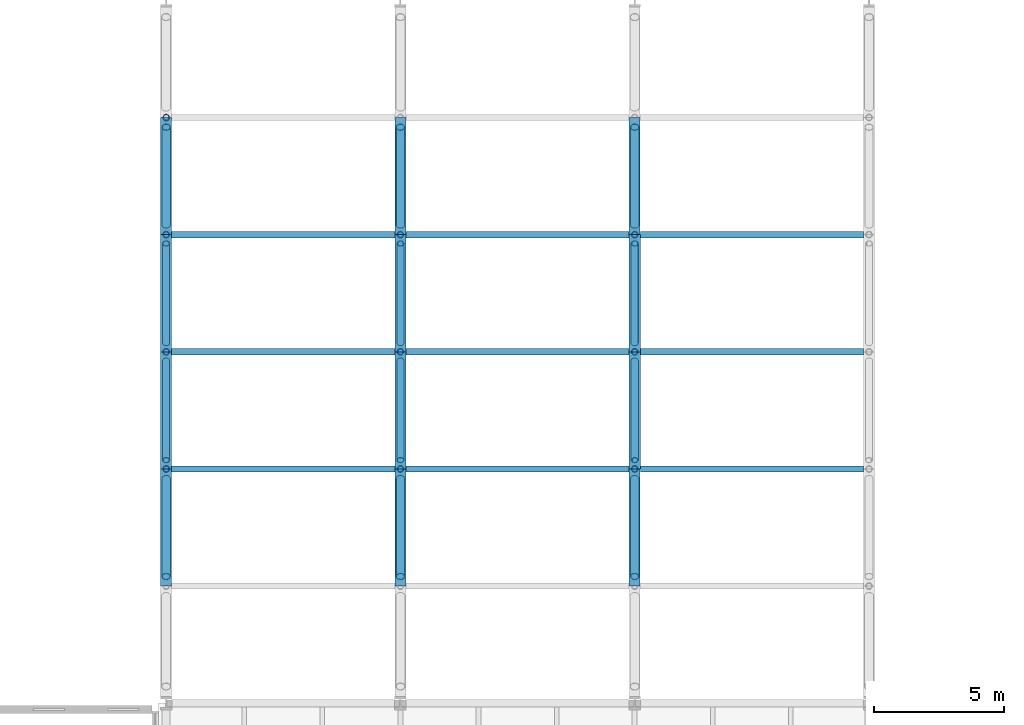
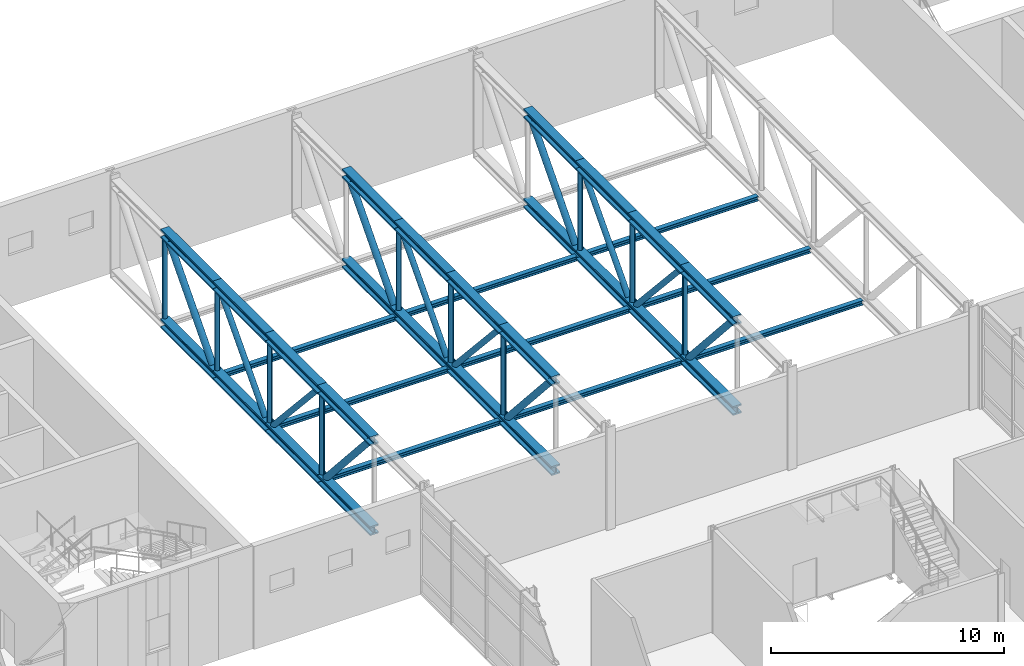
# One storey, part 21 of 53: 33 beams, 22 members.
"""IFC4 building model written with IfcOpenShell, lengths in metres."""

from ifc_helpers import new_model, si_unit, direction, frame, origin, origin_2d, place, context, subcontext, project, spatial, hollow_circle, i_section, extrude, material, material_profile, profile_set, type_object, element, save


model = new_model("IFC4")

# Units and contexts
model_context = context("Model", 3, precision=1e-05, world=origin(), true_north=direction((0.0, 1.0)))
body_context = subcontext(model_context, "Body", "Model", "MODEL_VIEW")
ifc_project = project(units=[si_unit("LENGTHUNIT", "METRE"), si_unit("AREAUNIT", "SQUARE_METRE"), si_unit("VOLUMEUNIT", "CUBIC_METRE"), si_unit("PLANEANGLEUNIT", "RADIAN"), si_unit("MASSUNIT", "GRAM", prefix="KILO")], contexts=[model_context])

# Site, building, storey
site_placement = place(None, origin())
site = spatial("IfcSite", under=ifc_project, at=site_placement, CompositionType="ELEMENT")
building_placement = place(site_placement, origin())
building = spatial("IfcBuilding", under=site, at=building_placement, Name="Azimuth Sports and Learning Centre", CompositionType="ELEMENT")
storey_placement = place(building_placement, frame((0.0, 0.0, 10.800048828125)))
storey = spatial("IfcBuildingStorey", under=building, at=storey_placement, Name="L02", CompositionType="ELEMENT", Elevation=10.800048828125)

# Beams
ifc_material_1 = material(Name="Steel S355", Category="steel")
ifc_material_profile_1 = material_profile(ifc_material_1, i_section(OverallWidth=0.239990234375, OverallDepth=0.239990234375, WebThickness=0.010009765625, FlangeThickness=0.01708984375, FilletRadius=0.02099609375, at=origin_2d()), Name="HEB 240")
ifc_profile_set_1 = profile_set([ifc_material_profile_1], Name="Steel S355")
beam_type_1 = type_object("IfcBeamType", Name="Beam HEB 240", PredefinedType="BEAM", material=ifc_profile_set_1)
for number, where, z_axis, x_axis, name in (
    (1, (72.214111328125, 99.0, 0.119873046875), (1.0, 0.0, 0.0), (0.0, 1.0, 0.0), "Floor truss bracing strut 4"),
    (2, (81.214111328125, 99.0, 0.119873046875), (1.0, 0.0, 0.0), (0.0, 1.0, 0.0), "Floor truss bracing strut 5"),
    (3, (90.214111328125, 99.0, 0.119873046875), (1.0, 0.0, 0.0), (0.0, 1.0, 0.0), "Floor truss bracing strut 6"),
    (4, (72.214111328125, 103.5, 0.119873046875), (1.0, 0.0, 0.0), (0.0, 1.0, 0.0), "Floor truss bracing strut 7"),
    (5, (81.214111328125, 103.5, 0.119873046875), (1.0, 0.0, 0.0), (0.0, 1.0, 0.0), "Floor truss bracing strut 8"),
    (6, (90.214111328125, 103.5, 0.119873046875), (1.0, 0.0, 0.0), (0.0, 1.0, 0.0), "Floor truss bracing strut 9"),
    (7, (72.214111328125, 108.0, 0.119873046875), (1.0, 0.0, 0.0), (0.0, 1.0, 0.0), "Floor truss bracing strut 10"),
    (8, (81.214111328125, 108.0, 0.119873046875), (1.0, 0.0, 0.0), (0.0, 1.0, 0.0), "Floor truss bracing strut 11"),
    (9, (90.214111328125, 108.0, 0.119873046875), (1.0, 0.0, 0.0), (0.0, 1.0, 0.0), "Floor truss bracing strut 12"),
):
    element("IfcBeam", number, at=place(storey_placement, frame(where, z_axis=z_axis, x_axis=x_axis)), inside=storey, type_object=beam_type_1, Name=name, PredefinedType="BEAM", context=body_context, shape_type="SweptSolid", body=[
        extrude(i_section(OverallWidth=0.239990234375, OverallDepth=0.239990234375, WebThickness=0.010009765625, FlangeThickness=0.01708984375, FilletRadius=0.02099609375, at=origin_2d()), origin(), (0.0, 0.0, 1.0), 8.57177734375),
    ])
ifc_material_2 = material(Name="Steel S460", Category="steel")
ifc_material_profile_2 = material_profile(ifc_material_2, i_section(OverallWidth=0.424072265625, OverallDepth=0.47412109375, WebThickness=0.047607421875, FlangeThickness=0.0771484375, FilletRadius=0.014892578125, at=origin_2d()), Name="HD 400x634")
ifc_profile_set_2 = profile_set([ifc_material_profile_2], Name="Steel S460")
beam_type_2 = type_object("IfcBeamType", Name="Truss chord HD 400x634", PredefinedType="USERDEFINED", material=ifc_profile_set_2)
for number, where, z_axis, x_axis, name in (
    (10, (72.0, 94.5, 4.94287109375), (0.0, 1.0, 0.0), (-1.0, 0.0, 0.0), "Floor truss FT-1 top chord 2"),
    (11, (72.0, 94.5, 0.237060546875), (0.0, 1.0, 0.0), (-1.0, 0.0, 0.0), "Floor truss FT-1 bottom chord 2"),
    (12, (72.0, 108.0, 4.94287109375), (0.0, 1.0, 0.0), (-1.0, 0.0, 0.0), "Floor truss FT-1 top chord 5"),
    (13, (72.0, 108.0, 0.237060546875), (0.0, 1.0, 0.0), (-1.0, 0.0, 0.0), "Floor truss FT-1 bottom chord 5"),
    (14, (81.0, 94.5, 4.94287109375), (0.0, 1.0, 0.0), (-1.0, 0.0, 0.0), "Floor truss FT-2 top chord 2"),
    (15, (81.0, 94.5, 0.237060546875), (0.0, 1.0, 0.0), (-1.0, 0.0, 0.0), "Floor truss FT-2 bottom chord 2"),
    (16, (81.0, 108.0, 4.94287109375), (0.0, 1.0, 0.0), (-1.0, 0.0, 0.0), "Floor truss FT-2 top chord 5"),
    (17, (81.0, 108.0, 0.237060546875), (0.0, 1.0, 0.0), (-1.0, 0.0, 0.0), "Floor truss FT-2 bottom chord 5"),
    (18, (90.0, 94.5, 4.94287109375), (0.0, 1.0, 0.0), (-1.0, 0.0, 0.0), "Floor truss FT-3 top chord 2"),
    (19, (90.0, 94.5, 0.237060546875), (0.0, 1.0, 0.0), (-1.0, 0.0, 0.0), "Floor truss FT-3 bottom chord 2"),
    (20, (90.0, 108.0, 4.94287109375), (0.0, 1.0, 0.0), (-1.0, 0.0, 0.0), "Floor truss FT-3 top chord 5"),
    (21, (90.0, 108.0, 0.237060546875), (0.0, 1.0, 0.0), (-1.0, 0.0, 0.0), "Floor truss FT-3 bottom chord 5"),
):
    element("IfcBeam", number, at=place(storey_placement, frame(where, z_axis=z_axis, x_axis=x_axis)), inside=storey, type_object=beam_type_2, Name=name, ObjectType="TRUSS CHORD", PredefinedType="USERDEFINED", context=body_context, shape_type="SweptSolid", body=[
        extrude(i_section(OverallWidth=0.424072265625, OverallDepth=0.47412109375, WebThickness=0.047607421875, FlangeThickness=0.0771484375, FilletRadius=0.014892578125, at=origin_2d()), origin(), (0.0, 0.0, 1.0), 4.5),
    ])
ifc_material_3 = material(Name="Steel S460", Category="steel")
ifc_material_profile_3 = material_profile(ifc_material_3, i_section(OverallWidth=0.427978515625, OverallDepth=0.48291015625, WebThickness=0.05126953125, FlangeThickness=0.08154296875, FilletRadius=0.014892578125, at=origin_2d()), Name="HD 400x677")
ifc_profile_set_3 = profile_set([ifc_material_profile_3], Name="Steel S460")
beam_type_3 = type_object("IfcBeamType", Name="Truss chord HD 400x677", PredefinedType="USERDEFINED", material=ifc_profile_set_3)
for number, where, z_axis, x_axis, name in (
    (22, (72.0, 99.0, 4.9384765625), (0.0, 1.0, 0.0), (-1.0, 0.0, 0.0), "Floor truss FT-1 top chord 3"),
    (23, (72.0, 99.0, 0.241455078125), (0.0, 1.0, 0.0), (-1.0, 0.0, 0.0), "Floor truss FT-1 bottom chord 3"),
    (24, (72.0, 103.5, 4.9384765625), (0.0, 1.0, 0.0), (-1.0, 0.0, 0.0), "Floor truss FT-1 top chord 4"),
    (25, (72.0, 103.5, 0.241455078125), (0.0, 1.0, 0.0), (-1.0, 0.0, 0.0), "Floor truss FT-1 bottom chord 4"),
    (26, (81.0, 99.0, 4.9384765625), (0.0, 1.0, 0.0), (-1.0, 0.0, 0.0), "Floor truss FT-2 top chord 3"),
    (27, (81.0, 99.0, 0.241455078125), (0.0, 1.0, 0.0), (-1.0, 0.0, 0.0), "Floor truss FT-2 bottom chord 3"),
    (28, (81.0, 103.5, 4.9384765625), (0.0, 1.0, 0.0), (-1.0, 0.0, 0.0), "Floor truss FT-2 top chord 4"),
    (29, (81.0, 103.5, 0.241455078125), (0.0, 1.0, 0.0), (-1.0, 0.0, 0.0), "Floor truss FT-2 bottom chord 4"),
    (30, (90.0, 99.0, 4.9384765625), (0.0, 1.0, 0.0), (-1.0, 0.0, 0.0), "Floor truss FT-3 top chord 3"),
    (31, (90.0, 99.0, 0.241455078125), (0.0, 1.0, 0.0), (-1.0, 0.0, 0.0), "Floor truss FT-3 bottom chord 3"),
    (32, (90.0, 103.5, 4.9384765625), (0.0, 1.0, 0.0), (-1.0, 0.0, 0.0), "Floor truss FT-3 top chord 4"),
    (33, (90.0, 103.5, 0.241455078125), (0.0, 1.0, 0.0), (-1.0, 0.0, 0.0), "Floor truss FT-3 bottom chord 4"),
):
    element("IfcBeam", number, at=place(storey_placement, frame(where, z_axis=z_axis, x_axis=x_axis)), inside=storey, type_object=beam_type_3, Name=name, ObjectType="TRUSS CHORD", PredefinedType="USERDEFINED", context=body_context, shape_type="SweptSolid", body=[
        extrude(i_section(OverallWidth=0.427978515625, OverallDepth=0.48291015625, WebThickness=0.05126953125, FlangeThickness=0.08154296875, FilletRadius=0.014892578125, at=origin_2d()), origin(), (0.0, 0.0, 1.0), 4.5),
    ])

# Members
ifc_material_4 = material(Name="Steel S355", Category="steel")
ifc_material_profile_4 = material_profile(ifc_material_4, hollow_circle(Radius=0.136474609375, WallThickness=0.012451171875, at=origin_2d()), Name="CHS 273x12.5")
ifc_profile_set_4 = profile_set([ifc_material_profile_4], Name="Steel S355")
member_type_1 = type_object("IfcMemberType", Name="Truss diagonal CHS 273x12.5", PredefinedType="BRACE", material=ifc_profile_set_4)
for number, where, z_axis, x_axis, name in (
    (34, (72.0, 99.339111328125, 4.697021484375), (0.0, 0.67178372618, -0.740747342378), (-1.0, 0.0, 0.0), "Floor truss FT-1 diagonal 3"),
    (35, (72.0, 107.660888671875, 4.697021484375), (0.0, -0.67178372618, -0.740747342378), (1.0, 0.0, 0.0), "Floor truss FT-1 diagonal 4"),
    (36, (81.0, 99.339111328125, 4.697021484375), (0.0, 0.67178372618, -0.740747342378), (-1.0, 0.0, 0.0), "Floor truss FT-2 diagonal 3"),
    (37, (81.0, 107.660888671875, 4.697021484375), (0.0, -0.67178372618, -0.740747342378), (1.0, 0.0, 0.0), "Floor truss FT-2 diagonal 4"),
    (38, (90.0, 99.339111328125, 4.697021484375), (0.0, 0.67178372618, -0.740747342378), (-1.0, 0.0, 0.0), "Floor truss FT-3 diagonal 3"),
    (39, (90.0, 107.660888671875, 4.697021484375), (0.0, -0.67178372618, -0.740747342378), (1.0, 0.0, 0.0), "Floor truss FT-3 diagonal 4"),
):
    element("IfcMember", number, at=place(storey_placement, frame(where, z_axis=z_axis, x_axis=x_axis)), inside=storey, type_object=member_type_1, Name=name, PredefinedType="BRACE", context=body_context, shape_type="SweptSolid", body=[
        extrude(hollow_circle(Radius=0.136474609375, WallThickness=0.012451171875, at=origin_2d()), origin(), (0.0, 0.0, 1.0), 5.68896484375),
    ])
ifc_material_5 = material(Name="Steel S355", Category="steel")
ifc_material_profile_5 = material_profile(ifc_material_5, hollow_circle(Radius=0.161865234375, WallThickness=0.012451171875, at=origin_2d()), Name="CHS 323.9x12.5")
ifc_profile_set_5 = profile_set([ifc_material_profile_5], Name="Steel S355")
member_type_2 = type_object("IfcMemberType", Name="Truss diagonal CHS 323.9x12.5", PredefinedType="BRACE", material=ifc_profile_set_5)
for number, where, z_axis, x_axis, name in (
    (40, (72.0, 94.87060546875, 4.7060546875), (0.0, 0.664053234374, -0.747685296042), (-1.0, 0.0, 0.0), "Floor truss FT-1 diagonal 2"),
    (41, (72.0, 112.12939453125, 4.7060546875), (0.0, -0.664053234374, -0.747685296042), (1.0, 0.0, 0.0), "Floor truss FT-1 diagonal 5"),
    (42, (81.0, 94.87060546875, 4.7060546875), (0.0, 0.664053234374, -0.747685296042), (-1.0, 0.0, 0.0), "Floor truss FT-2 diagonal 2"),
    (43, (81.0, 112.12939453125, 4.7060546875), (0.0, -0.664053234374, -0.747685296042), (1.0, 0.0, 0.0), "Floor truss FT-2 diagonal 5"),
    (44, (90.0, 94.87060546875, 4.7060546875), (0.0, 0.664053234374, -0.747685296042), (-1.0, 0.0, 0.0), "Floor truss FT-3 diagonal 2"),
    (45, (90.0, 112.12939453125, 4.7060546875), (0.0, -0.664053234374, -0.747685296042), (1.0, 0.0, 0.0), "Floor truss FT-3 diagonal 5"),
):
    element("IfcMember", number, at=place(storey_placement, frame(where, z_axis=z_axis, x_axis=x_axis)), inside=storey, type_object=member_type_2, Name=name, PredefinedType="BRACE", context=body_context, shape_type="SweptSolid", body=[
        extrude(hollow_circle(Radius=0.161865234375, WallThickness=0.012451171875, at=origin_2d()), origin(), (0.0, 0.0, 1.0), 5.660400390625),
    ])
ifc_material_6 = material(Name="Steel S355", Category="steel")
ifc_material_profile_6 = material_profile(ifc_material_6, hollow_circle(Radius=0.122314453125, WallThickness=0.012451171875, at=origin_2d()), Name="CHS 244.5x12.5")
ifc_profile_set_6 = profile_set([ifc_material_profile_6], Name="Steel S355")
member_type_3 = type_object("IfcMemberType", Name="Truss post CHS 244.5x12.5", PredefinedType="POST", material=ifc_profile_set_6)
member_1_placement = place(storey_placement, frame((72.0, 99.0, 0.473876953125), z_axis=(0.0, 0.0, 1.0), x_axis=(1.0, 0.0, 0.0)))
element("IfcMember", 46, at=member_1_placement, inside=storey, type_object=member_type_3, Name="Floor truss FT-1 post 2", PredefinedType="POST", context=body_context, shape_type="SweptSolid", body=[
    extrude(hollow_circle(Radius=0.122314453125, WallThickness=0.012451171875, at=origin_2d()), origin(), (0.0, 0.0, 1.0), 4.232177734375),
])
member_2_placement = place(storey_placement, frame((72.0, 103.5, 0.48291015625), z_axis=(0.0, 0.0, 1.0), x_axis=(1.0, 0.0, 0.0)))
element("IfcMember", 47, at=member_2_placement, inside=storey, type_object=member_type_3, Name="Floor truss FT-1 post 3", PredefinedType="POST", context=body_context, shape_type="SweptSolid", body=[
    extrude(hollow_circle(Radius=0.122314453125, WallThickness=0.012451171875, at=origin_2d()), origin(), (0.0, 0.0, 1.0), 4.214111328125),
])
member_3_placement = place(storey_placement, frame((72.0, 108.0, 0.473876953125), z_axis=(0.0, 0.0, 1.0), x_axis=(1.0, 0.0, 0.0)))
element("IfcMember", 48, at=member_3_placement, inside=storey, type_object=member_type_3, Name="Floor truss FT-1 post 4", PredefinedType="POST", context=body_context, shape_type="SweptSolid", body=[
    extrude(hollow_circle(Radius=0.122314453125, WallThickness=0.012451171875, at=origin_2d()), origin(), (0.0, 0.0, 1.0), 4.232177734375),
])
member_4_placement = place(storey_placement, frame((72.0, 112.5, 0.454833984375), z_axis=(0.0, 0.0, 1.0), x_axis=(1.0, 0.0, 0.0)))
element("IfcMember", 49, at=member_4_placement, inside=storey, type_object=member_type_3, Name="Floor truss FT-1 post 5", PredefinedType="POST", context=body_context, shape_type="SweptSolid", body=[
    extrude(hollow_circle(Radius=0.122314453125, WallThickness=0.012451171875, at=origin_2d()), origin(), (0.0, 0.0, 1.0), 4.27001953125),
])
member_5_placement = place(storey_placement, frame((81.0, 99.0, 0.473876953125), z_axis=(0.0, 0.0, 1.0), x_axis=(1.0, 0.0, 0.0)))
element("IfcMember", 50, at=member_5_placement, inside=storey, type_object=member_type_3, Name="Floor truss FT-2 post 2", PredefinedType="POST", context=body_context, shape_type="SweptSolid", body=[
    extrude(hollow_circle(Radius=0.122314453125, WallThickness=0.012451171875, at=origin_2d()), origin(), (0.0, 0.0, 1.0), 4.232177734375),
])
member_6_placement = place(storey_placement, frame((81.0, 103.5, 0.48291015625), z_axis=(0.0, 0.0, 1.0), x_axis=(1.0, 0.0, 0.0)))
element("IfcMember", 51, at=member_6_placement, inside=storey, type_object=member_type_3, Name="Floor truss FT-2 post 3", PredefinedType="POST", context=body_context, shape_type="SweptSolid", body=[
    extrude(hollow_circle(Radius=0.122314453125, WallThickness=0.012451171875, at=origin_2d()), origin(), (0.0, 0.0, 1.0), 4.214111328125),
])
for number, where, z_axis, x_axis, name in (
    (52, (81.0, 108.0, 0.473876953125), (0.0, 0.0, 1.0), (1.0, 0.0, 0.0), "Floor truss FT-2 post 4"),
    (53, (90.0, 99.0, 0.473876953125), (0.0, 0.0, 1.0), (1.0, 0.0, 0.0), "Floor truss FT-3 post 2"),
):
    element("IfcMember", number, at=place(storey_placement, frame(where, z_axis=z_axis, x_axis=x_axis)), inside=storey, type_object=member_type_3, Name=name, PredefinedType="POST", context=body_context, shape_type="SweptSolid", body=[
        extrude(hollow_circle(Radius=0.122314453125, WallThickness=0.012451171875, at=origin_2d()), origin(), (0.0, 0.0, 1.0), 4.232177734375),
    ])
member_7_placement = place(storey_placement, frame((90.0, 103.5, 0.48291015625), z_axis=(0.0, 0.0, 1.0), x_axis=(1.0, 0.0, 0.0)))
element("IfcMember", 54, at=member_7_placement, inside=storey, type_object=member_type_3, Name="Floor truss FT-3 post 3", PredefinedType="POST", context=body_context, shape_type="SweptSolid", body=[
    extrude(hollow_circle(Radius=0.122314453125, WallThickness=0.012451171875, at=origin_2d()), origin(), (0.0, 0.0, 1.0), 4.214111328125),
])
member_8_placement = place(storey_placement, frame((90.0, 108.0, 0.473876953125), z_axis=(0.0, 0.0, 1.0), x_axis=(1.0, 0.0, 0.0)))
element("IfcMember", 55, at=member_8_placement, inside=storey, type_object=member_type_3, Name="Floor truss FT-3 post 4", PredefinedType="POST", context=body_context, shape_type="SweptSolid", body=[
    extrude(hollow_circle(Radius=0.122314453125, WallThickness=0.012451171875, at=origin_2d()), origin(), (0.0, 0.0, 1.0), 4.232177734375),
])

save(model, "model.ifc")
